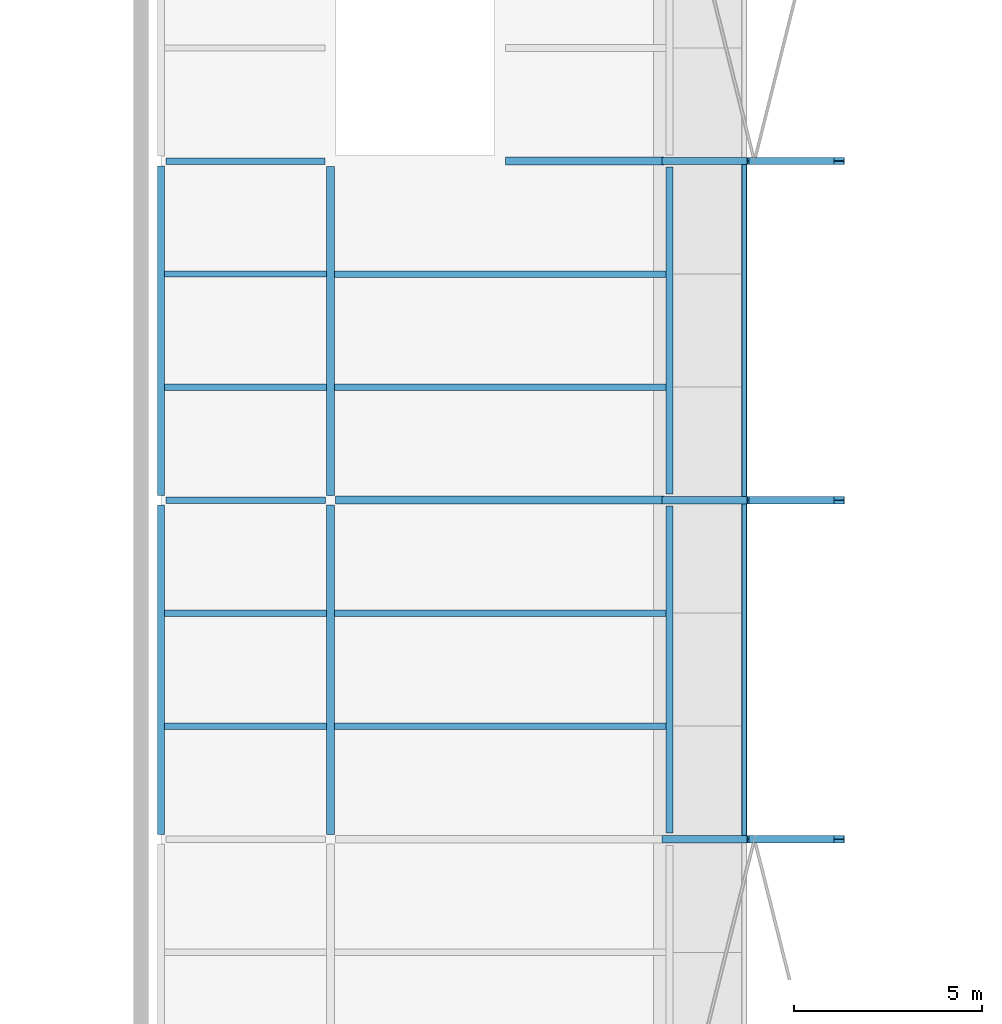
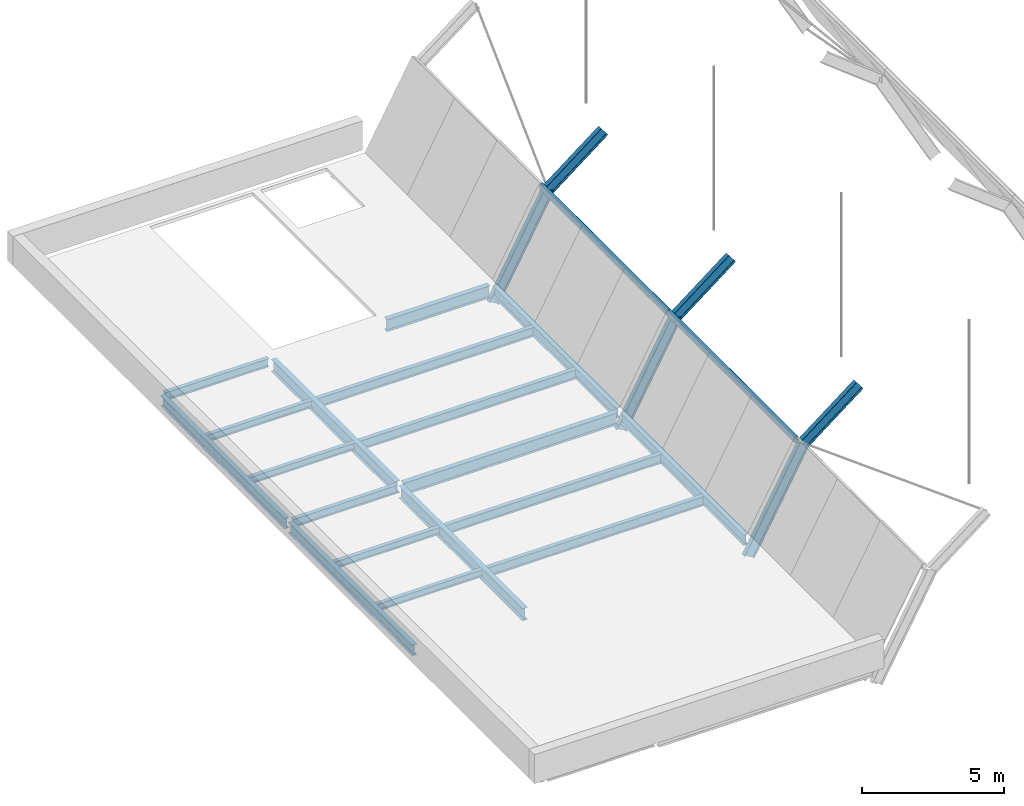
# One storey, part 13 of 62: 24 beams, 2 members.
"""IFC4 building model written with IfcOpenShell, lengths in metres."""

from ifc_helpers import new_model, si_unit, direction, frame, origin, origin_2d, place, context, subcontext, project, spatial, hollow_rectangle, i_section, extrude, material, material_profile, profile_set, type_object, element, save


model = new_model("IFC4")

# Units and contexts
model_context = context("Model", 3, precision=1e-05, world=origin(), true_north=direction((0.0, 1.0)))
body_context = subcontext(model_context, "Body", "Model", "MODEL_VIEW")
ifc_project = project(units=[si_unit("LENGTHUNIT", "METRE"), si_unit("AREAUNIT", "SQUARE_METRE"), si_unit("VOLUMEUNIT", "CUBIC_METRE"), si_unit("PLANEANGLEUNIT", "RADIAN"), si_unit("MASSUNIT", "GRAM", prefix="KILO")], contexts=[model_context])

# Site, building, storey
site_placement = place(None, origin())
site = spatial("IfcSite", under=ifc_project, at=site_placement, CompositionType="ELEMENT")
building_placement = place(site_placement, origin())
building = spatial("IfcBuilding", under=site, at=building_placement, Name="Hortulan Conservatory and Botanical Research Centre", CompositionType="ELEMENT")
storey_placement = place(building_placement, frame((0.0, 0.0, 15.0)))
storey = spatial("IfcBuildingStorey", under=building, at=storey_placement, Name="L03", CompositionType="ELEMENT", Elevation=15.0)

# Beams
ifc_material_1 = material(Name="Steel Grade 300PLUS (AS/NZS 3679.1, 280 MPa minimum yield)", Category="steel")
ifc_material_profile_1 = material_profile(ifc_material_1, i_section(OverallWidth=0.1708984375, OverallDepth=0.35595703125, WebThickness=0.00732421875, FlangeThickness=0.011474609375, FilletRadius=0.011474609375, at=origin_2d()), Name="360UB50.7")
ifc_profile_set_1 = profile_set([ifc_material_profile_1], Name="Steel Grade 300PLUS (AS/NZS 3679.1, 280 MPa minimum yield)")
beam_type_1 = type_object("IfcBeamType", Name="Primary Beam 360UB50.7", PredefinedType="BEAM", material=ifc_profile_set_1)
beam_1_placement = place(storey_placement, frame((76.6279296875, 54.0, -0.327880859375), z_axis=(1.0, 0.0, 0.0), x_axis=(0.0, 1.0, 0.0)))
element("IfcBeam", 1, at=beam_1_placement, inside=storey, type_object=beam_type_1, Name="360UB50.7 girder", PredefinedType="BEAM", context=body_context, shape_type="SweptSolid", body=[
    extrude(i_section(OverallWidth=0.1708984375, OverallDepth=0.35595703125, WebThickness=0.00732421875, FlangeThickness=0.011474609375, FilletRadius=0.011474609375, at=origin_2d()), origin(), (0.0, 0.0, 1.0), 4.244140625),
])
beam_2_placement = place(storey_placement, frame((76.6279296875, 63.0, -0.327880859375), z_axis=(1.0, 0.0, 0.0), x_axis=(0.0, 1.0, 0.0)))
element("IfcBeam", 2, at=beam_2_placement, inside=storey, type_object=beam_type_1, Name="360UB50.7 girder", PredefinedType="BEAM", context=body_context, shape_type="SweptSolid", body=[
    extrude(i_section(OverallWidth=0.1708984375, OverallDepth=0.35595703125, WebThickness=0.00732421875, FlangeThickness=0.011474609375, FilletRadius=0.011474609375, at=origin_2d()), origin(), (0.0, 0.0, 1.0), 4.22216796875),
])
ifc_material_profile_2 = material_profile(ifc_material_1, i_section(OverallWidth=0.18994140625, OverallDepth=0.45703125, WebThickness=0.009033203125, FlangeThickness=0.014404296875, FilletRadius=0.011474609375, at=origin_2d()), Name="460UB74.6")
ifc_profile_set_2 = profile_set([ifc_material_profile_2], Name="Steel Grade 300PLUS (AS/NZS 3679.1, 280 MPa minimum yield)")
beam_type_2 = type_object("IfcBeamType", Name="Primary Beam 460UB74.6", PredefinedType="BEAM", material=ifc_profile_set_2)
for number, where, z_axis, x_axis, name in (
    (3, (76.5, 45.1298828125, -0.37841796875), (0.0, 1.0, 0.0), (-1.0, 0.0, 0.0), "460UB74.6 girder"),
    (4, (76.5, 54.1298828125, -0.37841796875), (0.0, 1.0, 0.0), (-1.0, 0.0, 0.0), "460UB74.6 girder"),
):
    element("IfcBeam", number, at=place(storey_placement, frame(where, z_axis=z_axis, x_axis=x_axis)), inside=storey, type_object=beam_type_2, Name=name, PredefinedType="BEAM", context=body_context, shape_type="SweptSolid", body=[
        extrude(i_section(OverallWidth=0.18994140625, OverallDepth=0.45703125, WebThickness=0.009033203125, FlangeThickness=0.014404296875, FilletRadius=0.011474609375, at=origin_2d()), origin(), (0.0, 0.0, 1.0), 8.740234375),
    ])
for number, where, z_axis, x_axis, name in (
    (5, (90.0, 45.160400390625, -0.37841796875), (0.0, 1.0, 0.0), (-1.0, 0.0, 0.0), "460UB74.6 girder"),
    (6, (90.0, 54.160400390625, -0.37841796875), (0.0, 1.0, 0.0), (-1.0, 0.0, 0.0), "460UB74.6 girder"),
):
    element("IfcBeam", number, at=place(storey_placement, frame(where, z_axis=z_axis, x_axis=x_axis)), inside=storey, type_object=beam_type_2, Name=name, PredefinedType="BEAM", context=body_context, shape_type="SweptSolid", body=[
        extrude(i_section(OverallWidth=0.18994140625, OverallDepth=0.45703125, WebThickness=0.009033203125, FlangeThickness=0.014404296875, FilletRadius=0.011474609375, at=origin_2d()), origin(), (0.0, 0.0, 1.0), 8.67919921875),
    ])
ifc_material_profile_3 = material_profile(ifc_material_1, i_section(OverallWidth=0.208984375, OverallDepth=0.528076171875, WebThickness=0.009521484375, FlangeThickness=0.01318359375, FilletRadius=0.013916015625, at=origin_2d()), Name="530UB82.0")
ifc_profile_set_3 = profile_set([ifc_material_profile_3], Name="Steel Grade 300PLUS (AS/NZS 3679.1, 280 MPa minimum yield)")
beam_type_3 = type_object("IfcBeamType", Name="Primary Beam 530UB82.0", PredefinedType="BEAM", material=ifc_profile_set_3)
beam_3_placement = place(storey_placement, frame((81.0, 45.1298828125, -0.4140625), z_axis=(0.0, 1.0, 0.0), x_axis=(-1.0, 0.0, 0.0)))
element("IfcBeam", 7, at=beam_3_placement, inside=storey, type_object=beam_type_3, Name="530UB82.0 girder", PredefinedType="BEAM", context=body_context, shape_type="SweptSolid", body=[
    extrude(i_section(OverallWidth=0.208984375, OverallDepth=0.528076171875, WebThickness=0.009521484375, FlangeThickness=0.01318359375, FilletRadius=0.013916015625, at=origin_2d()), origin(), (0.0, 0.0, 1.0), 8.740234375),
])
beam_4_placement = place(storey_placement, frame((81.0, 54.1298828125, -0.4140625), z_axis=(0.0, 1.0, 0.0), x_axis=(-1.0, 0.0, 0.0)))
element("IfcBeam", 8, at=beam_4_placement, inside=storey, type_object=beam_type_3, Name="530UB82.0 girder", PredefinedType="BEAM", context=body_context, shape_type="SweptSolid", body=[
    extrude(i_section(OverallWidth=0.208984375, OverallDepth=0.528076171875, WebThickness=0.009521484375, FlangeThickness=0.01318359375, FilletRadius=0.013916015625, at=origin_2d()), origin(), (0.0, 0.0, 1.0), 8.72021484375),
])
beam_5_placement = place(storey_placement, frame((81.1279296875, 54.0, -0.4140625), z_axis=(1.0, 0.0, 0.0), x_axis=(0.0, 1.0, 0.0)))
element("IfcBeam", 9, at=beam_5_placement, inside=storey, type_object=beam_type_3, Name="530UB82.0 girder", PredefinedType="BEAM", context=body_context, shape_type="SweptSolid", body=[
    extrude(i_section(OverallWidth=0.208984375, OverallDepth=0.528076171875, WebThickness=0.009521484375, FlangeThickness=0.01318359375, FilletRadius=0.013916015625, at=origin_2d()), origin(), (0.0, 0.0, 1.0), 8.717529296875),
])
beam_6_placement = place(storey_placement, frame((85.64990234375, 63.0, -0.4140625), z_axis=(1.0, 0.0, 0.0), x_axis=(0.0, 1.0, 0.0)))
element("IfcBeam", 10, at=beam_6_placement, inside=storey, type_object=beam_type_3, Name="530UB82.0 girder", PredefinedType="BEAM", context=body_context, shape_type="SweptSolid", body=[
    extrude(i_section(OverallWidth=0.208984375, OverallDepth=0.528076171875, WebThickness=0.009521484375, FlangeThickness=0.01318359375, FilletRadius=0.013916015625, at=origin_2d()), origin(), (0.0, 0.0, 1.0), 4.195556640625),
])
ifc_material_profile_4 = material_profile(ifc_material_1, i_section(OverallWidth=0.1650390625, OverallDepth=0.303955078125, WebThickness=0.006103515625, FlangeThickness=0.01025390625, FilletRadius=0.011474609375, at=origin_2d()), Name="310UB40.4")
ifc_profile_set_4 = profile_set([ifc_material_profile_4], Name="Steel Grade 300PLUS (AS/NZS 3679.1, 280 MPa minimum yield)")
beam_type_4 = type_object("IfcBeamType", Name="Secondary Beam 310UB40.4", PredefinedType="JOIST", material=ifc_profile_set_4)
for number, where, z_axis, x_axis, name in (
    (11, (76.594970703125, 48.0, -0.302001953125), (1.0, 0.0, 0.0), (0.0, 1.0, 0.0), "310UB40.4 secondary beam"),
    (12, (76.594970703125, 51.0, -0.302001953125), (1.0, 0.0, 0.0), (0.0, 1.0, 0.0), "310UB40.4 secondary beam"),
    (13, (76.594970703125, 57.0, -0.302001953125), (1.0, 0.0, 0.0), (0.0, 1.0, 0.0), "310UB40.4 secondary beam"),
    (14, (76.594970703125, 60.0, -0.302001953125), (1.0, 0.0, 0.0), (0.0, 1.0, 0.0), "310UB40.4 secondary beam"),
):
    element("IfcBeam", number, at=place(storey_placement, frame(where, z_axis=z_axis, x_axis=x_axis)), inside=storey, type_object=beam_type_4, Name=name, PredefinedType="JOIST", context=body_context, shape_type="SweptSolid", body=[
        extrude(i_section(OverallWidth=0.1650390625, OverallDepth=0.303955078125, WebThickness=0.006103515625, FlangeThickness=0.01025390625, FilletRadius=0.011474609375, at=origin_2d()), origin(), (0.0, 0.0, 1.0), 4.300537109375),
    ])
ifc_material_profile_5 = material_profile(ifc_material_1, i_section(OverallWidth=0.177978515625, OverallDepth=0.403076171875, WebThickness=0.007568359375, FlangeThickness=0.010986328125, FilletRadius=0.011474609375, at=origin_2d()), Name="410UB53.7")
ifc_profile_set_5 = profile_set([ifc_material_profile_5], Name="Steel Grade 300PLUS (AS/NZS 3679.1, 280 MPa minimum yield)")
beam_type_5 = type_object("IfcBeamType", Name="Secondary Beam 410UB53.7", PredefinedType="JOIST", material=ifc_profile_set_5)
for number, where, z_axis, x_axis, name in (
    (15, (81.1044921875, 48.0, -0.3515625), (1.0, 0.0, 0.0), (0.0, 1.0, 0.0), "410UB53.7 secondary beam"),
    (16, (81.1044921875, 51.0, -0.3515625), (1.0, 0.0, 0.0), (0.0, 1.0, 0.0), "410UB53.7 secondary beam"),
    (17, (81.1044921875, 57.0, -0.3515625), (1.0, 0.0, 0.0), (0.0, 1.0, 0.0), "410UB53.7 secondary beam"),
    (18, (81.1044921875, 60.0, -0.3515625), (1.0, 0.0, 0.0), (0.0, 1.0, 0.0), "410UB53.7 secondary beam"),
):
    element("IfcBeam", number, at=place(storey_placement, frame(where, z_axis=z_axis, x_axis=x_axis)), inside=storey, type_object=beam_type_5, Name=name, PredefinedType="JOIST", context=body_context, shape_type="SweptSolid", body=[
        extrude(i_section(OverallWidth=0.177978515625, OverallDepth=0.403076171875, WebThickness=0.007568359375, FlangeThickness=0.010986328125, FilletRadius=0.011474609375, at=origin_2d()), origin(), (0.0, 0.0, 1.0), 8.800537109375),
    ])
ifc_material_profile_6 = material_profile(ifc_material_1, i_section(OverallWidth=0.18994140625, OverallDepth=0.45703125, WebThickness=0.009033203125, FlangeThickness=0.014404296875, FilletRadius=0.011474609375, at=origin_2d()), Name="460UB74.6")
ifc_profile_set_6 = profile_set([ifc_material_profile_6], Name="Steel Grade 300PLUS (AS/NZS 3679.1, 280 MPa minimum yield)")
beam_type_6 = type_object("IfcBeamType", Name="Vault Arch 460UB74.6", PredefinedType="BEAM", material=ifc_profile_set_6)
beam_7_placement = place(storey_placement, frame((90.0, 45.0, -1.0), z_axis=(0.481904698653, 0.0, 0.876223636646), x_axis=(0.0, 1.0, 0.0)))
element("IfcBeam", 19, at=beam_7_placement, inside=storey, type_object=beam_type_6, Name="Vault arch 2 chord 1", PredefinedType="BEAM", context=body_context, shape_type="SweptSolid", body=[
    extrude(i_section(OverallWidth=0.18994140625, OverallDepth=0.45703125, WebThickness=0.009033203125, FlangeThickness=0.014404296875, FilletRadius=0.011474609375, at=origin_2d()), origin(), (0.0, 0.0, 1.0), 4.6689453125),
])
beam_8_placement = place(storey_placement, frame((92.25, 45.0, 3.091064453125), z_axis=(0.790057951817, 0.0, 0.613032162917), x_axis=(0.0, 1.0, 0.0)))
element("IfcBeam", 20, at=beam_8_placement, inside=storey, type_object=beam_type_6, Name="Vault arch 2 chord 2", PredefinedType="BEAM", context=body_context, shape_type="SweptSolid", body=[
    extrude(i_section(OverallWidth=0.18994140625, OverallDepth=0.45703125, WebThickness=0.009033203125, FlangeThickness=0.014404296875, FilletRadius=0.011474609375, at=origin_2d()), origin(), (0.0, 0.0, 1.0), 2.847900390625),
])
beam_9_placement = place(storey_placement, frame((90.0, 54.0, -1.0), z_axis=(0.481904698653, 0.0, 0.876223636646), x_axis=(0.0, 1.0, 0.0)))
element("IfcBeam", 21, at=beam_9_placement, inside=storey, type_object=beam_type_6, Name="Vault arch 3 chord 1", PredefinedType="BEAM", context=body_context, shape_type="SweptSolid", body=[
    extrude(i_section(OverallWidth=0.18994140625, OverallDepth=0.45703125, WebThickness=0.009033203125, FlangeThickness=0.014404296875, FilletRadius=0.011474609375, at=origin_2d()), origin(), (0.0, 0.0, 1.0), 4.6689453125),
])
beam_10_placement = place(storey_placement, frame((92.25, 54.0, 3.091064453125), z_axis=(0.790057951817, 0.0, 0.613032162917), x_axis=(0.0, 1.0, 0.0)))
element("IfcBeam", 22, at=beam_10_placement, inside=storey, type_object=beam_type_6, Name="Vault arch 3 chord 2", PredefinedType="BEAM", context=body_context, shape_type="SweptSolid", body=[
    extrude(i_section(OverallWidth=0.18994140625, OverallDepth=0.45703125, WebThickness=0.009033203125, FlangeThickness=0.014404296875, FilletRadius=0.011474609375, at=origin_2d()), origin(), (0.0, 0.0, 1.0), 2.847900390625),
])
beam_11_placement = place(storey_placement, frame((90.0, 63.0, -1.0), z_axis=(0.481904698653, 0.0, 0.876223636646), x_axis=(0.0, 1.0, 0.0)))
element("IfcBeam", 23, at=beam_11_placement, inside=storey, type_object=beam_type_6, Name="Vault arch 4 chord 1", PredefinedType="BEAM", context=body_context, shape_type="SweptSolid", body=[
    extrude(i_section(OverallWidth=0.18994140625, OverallDepth=0.45703125, WebThickness=0.009033203125, FlangeThickness=0.014404296875, FilletRadius=0.011474609375, at=origin_2d()), origin(), (0.0, 0.0, 1.0), 4.6689453125),
])
beam_12_placement = place(storey_placement, frame((92.25, 63.0, 3.091064453125), z_axis=(0.790057951817, 0.0, 0.613032162917), x_axis=(0.0, 1.0, 0.0)))
element("IfcBeam", 24, at=beam_12_placement, inside=storey, type_object=beam_type_6, Name="Vault arch 4 chord 2", PredefinedType="BEAM", context=body_context, shape_type="SweptSolid", body=[
    extrude(i_section(OverallWidth=0.18994140625, OverallDepth=0.45703125, WebThickness=0.009033203125, FlangeThickness=0.014404296875, FilletRadius=0.011474609375, at=origin_2d()), origin(), (0.0, 0.0, 1.0), 2.847900390625),
])

# Members
ifc_material_2 = material(Name="Steel Grade C450L0 (450 MPa, AS/NZS 1163)", Category="steel")
ifc_material_profile_7 = material_profile(ifc_material_2, hollow_rectangle(XDim=0.14990234375, YDim=0.25, WallThickness=0.009033203125, InnerFilletRadius=0.013427734375, OuterFilletRadius=0.0224609375, at=origin_2d()), Name="250x150x9RHS")
ifc_profile_set_7 = profile_set([ifc_material_profile_7], Name="Steel Grade C450L0 (450 MPa, AS/NZS 1163)")
member_type = type_object("IfcMemberType", Name="Vault Purlin 250x150x9 RHS", PredefinedType="PURLIN", material=ifc_profile_set_7)
for number, where, z_axis, x_axis, name in (
    (25, (91.9794921875, 45.0, 3.322021484375), (0.0, 1.0, 0.0), (-1.0, 0.0, 0.0), "Vault purlin 1 bay 2"),
    (26, (91.9794921875, 54.0, 3.322021484375), (0.0, 1.0, 0.0), (-1.0, 0.0, 0.0), "Vault purlin 1 bay 3"),
):
    element("IfcMember", number, at=place(storey_placement, frame(where, z_axis=z_axis, x_axis=x_axis)), inside=storey, type_object=member_type, Name=name, PredefinedType="PURLIN", context=body_context, shape_type="SweptSolid", body=[
        extrude(hollow_rectangle(XDim=0.14990234375, YDim=0.25, WallThickness=0.009033203125, InnerFilletRadius=0.013427734375, OuterFilletRadius=0.0224609375, at=origin_2d()), origin(), (0.0, 0.0, 1.0), 9.0),
    ])

save(model, "model.ifc")
